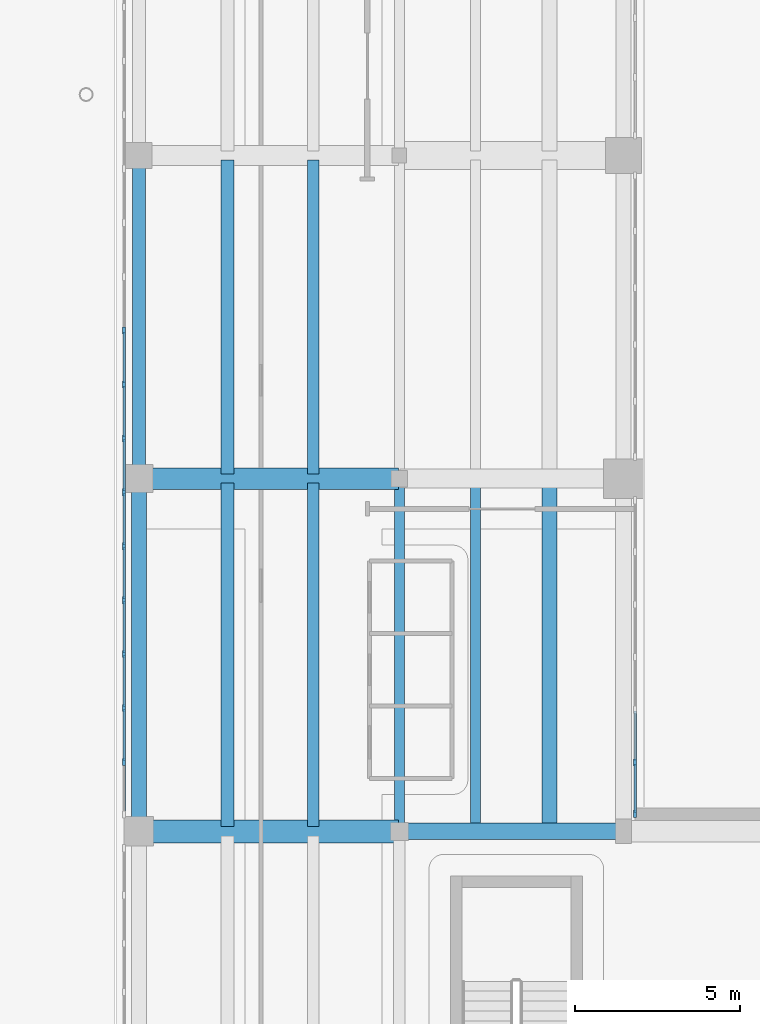
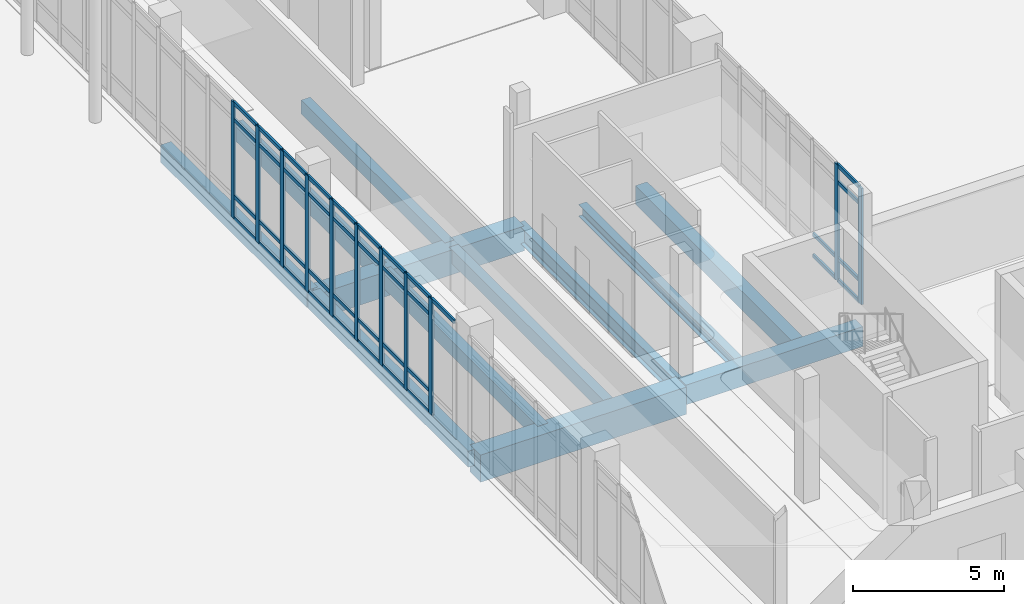
# One storey, part 16 of 74: 50 members, 12 beams, 2 elements without a shape of their own.
"""IFC4 building model written with IfcOpenShell, lengths in metres."""

from ifc_helpers import new_model, si_unit, direction, frame, origin, origin_2d, place, context, subcontext, project, spatial, rectangle, i_section, extrude, material, material_profile, profile_set, type_object, element, aggregate, save


model = new_model("IFC4")

# Units and contexts
model_context = context("Model", 3, precision=1e-05, world=origin(), true_north=direction((0.0, 1.0)))
body_context = subcontext(model_context, "Body", "Model", "MODEL_VIEW")
ifc_project = project(units=[si_unit("LENGTHUNIT", "METRE"), si_unit("AREAUNIT", "SQUARE_METRE"), si_unit("VOLUMEUNIT", "CUBIC_METRE"), si_unit("PLANEANGLEUNIT", "RADIAN"), si_unit("MASSUNIT", "GRAM", prefix="KILO")], contexts=[model_context])

# Site, building, storey
site_placement = place(None, origin())
site = spatial("IfcSite", under=ifc_project, at=site_placement, CompositionType="ELEMENT")
building_placement = place(site_placement, origin())
building = spatial("IfcBuilding", under=site, at=building_placement, Name="Soyqirgoq Riverine Aquarium", CompositionType="ELEMENT")
storey_placement = place(building_placement, origin())
storey = spatial("IfcBuildingStorey", under=building, at=storey_placement, Name="L01", CompositionType="ELEMENT", Elevation=0.0)

# Beams
ifc_material_1 = material(Name="Concrete C40/50", Category="concrete")
ifc_material_profile_1 = material_profile(ifc_material_1, rectangle(XDim=0.39990234375, YDim=0.60009765625, at=origin_2d()), Name="RC 400x600")
ifc_profile_set_1 = profile_set([ifc_material_profile_1], Name="Concrete C40/50")
beam_type_1 = type_object("IfcBeamType", Name="Beam_RC_400x600", PredefinedType="JOIST", material=ifc_profile_set_1)
beam_1_placement = place(storey_placement, frame((117.385986328125, 17.93994140625, -0.64990234375), z_axis=(0.0, 1.0, 0.0), x_axis=(-1.0, 0.0, 0.0)))
element("IfcBeam", 1, at=beam_1_placement, inside=storey, type_object=beam_type_1, Name="V6 L01 Secondary Bay Joist 1070", PredefinedType="JOIST", context=body_context, shape_type="SweptSolid", body=[
    extrude(rectangle(XDim=0.39990234375, YDim=0.60009765625, at=origin_2d()), origin(), (0.0, 0.0, 1.0), 10.420166015625),
])
beam_2_placement = place(storey_placement, frame((117.385986328125, 28.639892578125, -0.64990234375), z_axis=(0.0, 1.0, 0.0), x_axis=(-1.0, 0.0, 0.0)))
element("IfcBeam", 2, at=beam_2_placement, inside=storey, type_object=beam_type_1, Name="V6 L01 Secondary Bay Joist 1074", PredefinedType="JOIST", context=body_context, shape_type="SweptSolid", body=[
    extrude(rectangle(XDim=0.39990234375, YDim=0.60009765625, at=origin_2d()), origin(), (0.0, 0.0, 1.0), 9.52001953125),
])
ifc_material_2 = material(Name="Concrete C40/50", Category="concrete")
ifc_material_profile_2 = material_profile(ifc_material_2, rectangle(XDim=0.39990234375, YDim=0.699951171875, at=origin_2d()), Name="RC 400x700")
ifc_profile_set_2 = profile_set([ifc_material_profile_2], Name="Concrete C40/50")
beam_type_2 = type_object("IfcBeamType", Name="Beam_RC_400x700", PredefinedType="BEAM", material=ifc_profile_set_2)
beam_3_placement = place(storey_placement, frame((114.699951171875, 28.550048828125, -0.699951171875), z_axis=(0.0, 1.0, 0.0), x_axis=(-1.0, 0.0, 0.0)))
element("IfcBeam", 3, at=beam_3_placement, inside=storey, type_object=beam_type_2, Name="V6 L01 North-South Frame Beam 1012", PredefinedType="BEAM", context=body_context, shape_type="SweptSolid", body=[
    extrude(rectangle(XDim=0.39990234375, YDim=0.699951171875, at=origin_2d()), origin(), (0.0, 0.0, 1.0), 9.699951171875),
])
ifc_material_3 = material(Name="Concrete C40/50", Category="concrete")
ifc_material_profile_3 = material_profile(ifc_material_3, rectangle(XDim=0.449951171875, YDim=0.64990234375, at=origin_2d()), Name="RC 450x650")
ifc_profile_set_3 = profile_set([ifc_material_profile_3], Name="Concrete C40/50")
beam_type_3 = type_object("IfcBeamType", Name="Beam_RC_450x650", PredefinedType="BEAM", material=ifc_profile_set_3)
beam_4_placement = place(storey_placement, frame((114.699951171875, 17.85009765625, -0.675048828125), z_axis=(0.0, 1.0, 0.0), x_axis=(-1.0, 0.0, 0.0)))
element("IfcBeam", 4, at=beam_4_placement, inside=storey, type_object=beam_type_3, Name="V6 L01 North-South Frame Beam 1010", PredefinedType="BEAM", context=body_context, shape_type="SweptSolid", body=[
    extrude(rectangle(XDim=0.449951171875, YDim=0.64990234375, at=origin_2d()), origin(), (0.0, 0.0, 1.0), 10.599853515625),
])
ifc_material_4 = material(Name="Concrete C40/50", Category="concrete")
ifc_material_profile_4 = material_profile(ifc_material_4, rectangle(XDim=0.449951171875, YDim=0.75, at=origin_2d()), Name="RC 450x750")
ifc_profile_set_4 = profile_set([ifc_material_profile_4], Name="Concrete C40/50")
beam_type_4 = type_object("IfcBeamType", Name="Beam_RC_450x750", PredefinedType="BEAM", material=ifc_profile_set_4)
beam_5_placement = place(storey_placement, frame((127.156005859375, 17.93994140625, -0.72509765625), z_axis=(0.0, 1.0, 0.0), x_axis=(-1.0, 0.0, 0.0)))
element("IfcBeam", 5, at=beam_5_placement, inside=storey, type_object=beam_type_4, Name="V6 L01 Secondary Bay Joist 1073", PredefinedType="BEAM", context=body_context, shape_type="SweptSolid", body=[
    extrude(rectangle(XDim=0.449951171875, YDim=0.75, at=origin_2d()), origin(), (0.0, 0.0, 1.0), 10.420166015625),
])

# Curtain wall, members
ifc_material_5 = material(Name="Structural silicone glazed entrance curtain wall", Category="aluminium")
curtain_wall_type = type_object("IfcCurtainWallType", Name="CW_Portal_Entrance", PredefinedType="NOTDEFINED", material=ifc_material_5)
curtain_wall_1_placement = place(storey_placement, origin())
curtain_wall_1 = element("IfcCurtainWall", 6, at=curtain_wall_1_placement, inside=storey, type_object=curtain_wall_type, Name="V6 L01 Curtain Wall 106", PredefinedType="NOTDEFINED")
ifc_material_6 = material(Name="Anodised aluminium 6063-T6", Category="aluminium")
ifc_material_profile_5 = material_profile(ifc_material_6, rectangle(XDim=0.080078125, YDim=0.219970703125, at=origin_2d()), Name="ALU-M 80x220")
ifc_profile_set_5 = profile_set([ifc_material_profile_5], Name="Anodised aluminium 6063-T6")
member_type_1 = type_object("IfcMemberType", Name="CWMullion_80x220", PredefinedType="MULLION", material=ifc_profile_set_5)
member_1_placement = place(storey_placement, frame((114.25, 19.905517578125, 0.0), z_axis=(0.0, 0.0, 1.0), x_axis=(-1.0, 0.0, 0.0)))
member_1 = element("IfcMember", 7, at=member_1_placement, type_object=member_type_1, Name="CW-04 mullion 2", PredefinedType="MULLION", context=body_context, shape_type="SweptSolid", body=[
    extrude(rectangle(XDim=0.080078125, YDim=0.219970703125, at=origin_2d()), origin(), (0.0, 0.0, 1.0), 4.699951171875),
])
member_2_placement = place(storey_placement, frame((114.25, 21.541015625, 0.0), z_axis=(0.0, 0.0, 1.0), x_axis=(-1.0, 0.0, 0.0)))
member_2 = element("IfcMember", 8, at=member_2_placement, type_object=member_type_1, Name="CW-04 mullion 3", PredefinedType="MULLION", context=body_context, shape_type="SweptSolid", body=[
    extrude(rectangle(XDim=0.080078125, YDim=0.219970703125, at=origin_2d()), origin(), (0.0, 0.0, 1.0), 4.699951171875),
])
member_3_placement = place(storey_placement, frame((114.25, 23.1767578125, 0.0), z_axis=(0.0, 0.0, 1.0), x_axis=(-1.0, 0.0, 0.0)))
member_3 = element("IfcMember", 9, at=member_3_placement, type_object=member_type_1, Name="CW-04 mullion 4", PredefinedType="MULLION", context=body_context, shape_type="SweptSolid", body=[
    extrude(rectangle(XDim=0.080078125, YDim=0.219970703125, at=origin_2d()), origin(), (0.0, 0.0, 1.0), 4.699951171875),
])
member_4_placement = place(storey_placement, frame((114.25, 24.812255859375, 0.0), z_axis=(0.0, 0.0, 1.0), x_axis=(-1.0, 0.0, 0.0)))
member_4 = element("IfcMember", 10, at=member_4_placement, type_object=member_type_1, Name="CW-04 mullion 5", PredefinedType="MULLION", context=body_context, shape_type="SweptSolid", body=[
    extrude(rectangle(XDim=0.080078125, YDim=0.219970703125, at=origin_2d()), origin(), (0.0, 0.0, 1.0), 4.699951171875),
])
member_5_placement = place(storey_placement, frame((114.25, 26.44775390625, 0.0), z_axis=(0.0, 0.0, 1.0), x_axis=(-1.0, 0.0, 0.0)))
member_5 = element("IfcMember", 11, at=member_5_placement, type_object=member_type_1, Name="CW-04 mullion 6", PredefinedType="MULLION", context=body_context, shape_type="SweptSolid", body=[
    extrude(rectangle(XDim=0.080078125, YDim=0.219970703125, at=origin_2d()), origin(), (0.0, 0.0, 1.0), 4.699951171875),
])
member_6_placement = place(storey_placement, frame((114.25, 28.083251953125, 0.0), z_axis=(0.0, 0.0, 1.0), x_axis=(-1.0, 0.0, 0.0)))
member_6 = element("IfcMember", 12, at=member_6_placement, type_object=member_type_1, Name="CW-04 mullion 7", PredefinedType="MULLION", context=body_context, shape_type="SweptSolid", body=[
    extrude(rectangle(XDim=0.080078125, YDim=0.219970703125, at=origin_2d()), origin(), (0.0, 0.0, 1.0), 4.699951171875),
])
member_7_placement = place(storey_placement, frame((114.25, 29.718994140625, 0.0), z_axis=(0.0, 0.0, 1.0), x_axis=(-1.0, 0.0, 0.0)))
member_7 = element("IfcMember", 13, at=member_7_placement, type_object=member_type_1, Name="CW-04 mullion 8", PredefinedType="MULLION", context=body_context, shape_type="SweptSolid", body=[
    extrude(rectangle(XDim=0.080078125, YDim=0.219970703125, at=origin_2d()), origin(), (0.0, 0.0, 1.0), 4.699951171875),
])
member_8_placement = place(storey_placement, frame((114.25, 31.3544921875, 0.0), z_axis=(0.0, 0.0, 1.0), x_axis=(-1.0, 0.0, 0.0)))
member_8 = element("IfcMember", 14, at=member_8_placement, type_object=member_type_1, Name="CW-04 mullion 9", PredefinedType="MULLION", context=body_context, shape_type="SweptSolid", body=[
    extrude(rectangle(XDim=0.080078125, YDim=0.219970703125, at=origin_2d()), origin(), (0.0, 0.0, 1.0), 4.699951171875),
])
member_9_placement = place(storey_placement, frame((114.25, 32.989990234375, 0.0), z_axis=(0.0, 0.0, 1.0), x_axis=(-1.0, 0.0, 0.0)))
member_9 = element("IfcMember", 15, at=member_9_placement, type_object=member_type_1, Name="CW-04 mullion 10", PredefinedType="MULLION", context=body_context, shape_type="SweptSolid", body=[
    extrude(rectangle(XDim=0.080078125, YDim=0.219970703125, at=origin_2d()), origin(), (0.0, 0.0, 1.0), 4.699951171875),
])

curtain_wall_2_placement = place(storey_placement, origin())
curtain_wall_2 = element("IfcCurtainWall", 16, at=curtain_wall_2_placement, inside=storey, type_object=curtain_wall_type, Name="V6 L01 Curtain Wall 110", PredefinedType="NOTDEFINED")
member_10_placement = place(storey_placement, frame((129.75, 19.888427734375, 0.0), z_axis=(0.0, 0.0, 1.0), x_axis=(1.0, 0.0, 0.0)))
member_10 = element("IfcMember", 17, at=member_10_placement, type_object=member_type_1, Name="CW-04 mullion 6", PredefinedType="MULLION", context=body_context, shape_type="SweptSolid", body=[
    extrude(rectangle(XDim=0.080078125, YDim=0.219970703125, at=origin_2d()), origin(), (0.0, 0.0, 1.0), 4.699951171875),
])
member_11_placement = place(storey_placement, frame((129.75, 18.330078125, 0.0), z_axis=(0.0, 0.0, 1.0), x_axis=(1.0, 0.0, 0.0)))
member_11 = element("IfcMember", 18, at=member_11_placement, type_object=member_type_1, Name="CW-04 mullion 7", PredefinedType="MULLION", context=body_context, shape_type="SweptSolid", body=[
    extrude(rectangle(XDim=0.080078125, YDim=0.219970703125, at=origin_2d()), origin(), (0.0, 0.0, 1.0), 4.699951171875),
])

# Member
ifc_material_7 = material(Name="Anodised aluminium 6063-T6", Category="aluminium")
ifc_material_profile_6 = material_profile(ifc_material_7, rectangle(XDim=0.074951171875, YDim=0.14990234375, at=origin_2d()), Name="ALU-T 75x150")
ifc_profile_set_6 = profile_set([ifc_material_profile_6], Name="Anodised aluminium 6063-T6")
member_type_2 = type_object("IfcMemberType", Name="CWTransom_75x150", PredefinedType="USERDEFINED", material=ifc_profile_set_6)
member_12_placement = place(storey_placement, frame((114.25, 18.35009765625, 4.66259765625), z_axis=(0.0, 1.0, 0.0), x_axis=(-1.0, 0.0, 0.0)))
member_12 = element("IfcMember", 19, at=member_12_placement, type_object=member_type_2, Name="CW-04 transom 1.4", ObjectType="TRANSOM", PredefinedType="USERDEFINED", context=body_context, shape_type="SweptSolid", body=[
    extrude(rectangle(XDim=0.074951171875, YDim=0.14990234375, at=origin_2d()), origin(), (0.0, 0.0, 1.0), 1.515380859375),
])

member_13_placement = place(storey_placement, frame((114.25, 19.945556640625, 0.03759765625), z_axis=(0.0, 1.0, 0.0), x_axis=(-1.0, 0.0, 0.0)))
member_13 = element("IfcMember", 20, at=member_13_placement, type_object=member_type_2, Name="CW-04 transom 2.1", ObjectType="TRANSOM", PredefinedType="USERDEFINED", context=body_context, shape_type="SweptSolid", body=[
    extrude(rectangle(XDim=0.074951171875, YDim=0.14990234375, at=origin_2d()), origin(), (0.0, 0.0, 1.0), 1.5556640625),
])

member_14_placement = place(storey_placement, frame((114.25, 19.945556640625, 0.89990234375), z_axis=(0.0, 1.0, 0.0), x_axis=(-1.0, 0.0, 0.0)))
member_14 = element("IfcMember", 21, at=member_14_placement, type_object=member_type_2, Name="CW-04 transom 2.2", ObjectType="TRANSOM", PredefinedType="USERDEFINED", context=body_context, shape_type="SweptSolid", body=[
    extrude(rectangle(XDim=0.074951171875, YDim=0.14990234375, at=origin_2d()), origin(), (0.0, 0.0, 1.0), 1.5556640625),
])

member_15_placement = place(storey_placement, frame((114.25, 19.945556640625, 4.0), z_axis=(0.0, 1.0, 0.0), x_axis=(-1.0, 0.0, 0.0)))
member_15 = element("IfcMember", 22, at=member_15_placement, type_object=member_type_2, Name="CW-04 transom 2.3", ObjectType="TRANSOM", PredefinedType="USERDEFINED", context=body_context, shape_type="SweptSolid", body=[
    extrude(rectangle(XDim=0.074951171875, YDim=0.14990234375, at=origin_2d()), origin(), (0.0, 0.0, 1.0), 1.5556640625),
])

member_16_placement = place(storey_placement, frame((114.25, 19.945556640625, 4.66259765625), z_axis=(0.0, 1.0, 0.0), x_axis=(-1.0, 0.0, 0.0)))
member_16 = element("IfcMember", 23, at=member_16_placement, type_object=member_type_2, Name="CW-04 transom 2.4", ObjectType="TRANSOM", PredefinedType="USERDEFINED", context=body_context, shape_type="SweptSolid", body=[
    extrude(rectangle(XDim=0.074951171875, YDim=0.14990234375, at=origin_2d()), origin(), (0.0, 0.0, 1.0), 1.5556640625),
])

member_17_placement = place(storey_placement, frame((114.25, 21.5810546875, 0.03759765625), z_axis=(0.0, 1.0, 0.0), x_axis=(-1.0, 0.0, 0.0)))
member_17 = element("IfcMember", 24, at=member_17_placement, type_object=member_type_2, Name="CW-04 transom 3.1", ObjectType="TRANSOM", PredefinedType="USERDEFINED", context=body_context, shape_type="SweptSolid", body=[
    extrude(rectangle(XDim=0.074951171875, YDim=0.14990234375, at=origin_2d()), origin(), (0.0, 0.0, 1.0), 1.5556640625),
])

member_18_placement = place(storey_placement, frame((114.25, 21.5810546875, 0.89990234375), z_axis=(0.0, 1.0, 0.0), x_axis=(-1.0, 0.0, 0.0)))
member_18 = element("IfcMember", 25, at=member_18_placement, type_object=member_type_2, Name="CW-04 transom 3.2", ObjectType="TRANSOM", PredefinedType="USERDEFINED", context=body_context, shape_type="SweptSolid", body=[
    extrude(rectangle(XDim=0.074951171875, YDim=0.14990234375, at=origin_2d()), origin(), (0.0, 0.0, 1.0), 1.5556640625),
])

member_19_placement = place(storey_placement, frame((114.25, 21.5810546875, 4.0), z_axis=(0.0, 1.0, 0.0), x_axis=(-1.0, 0.0, 0.0)))
member_19 = element("IfcMember", 26, at=member_19_placement, type_object=member_type_2, Name="CW-04 transom 3.3", ObjectType="TRANSOM", PredefinedType="USERDEFINED", context=body_context, shape_type="SweptSolid", body=[
    extrude(rectangle(XDim=0.074951171875, YDim=0.14990234375, at=origin_2d()), origin(), (0.0, 0.0, 1.0), 1.5556640625),
])

member_20_placement = place(storey_placement, frame((114.25, 21.5810546875, 4.66259765625), z_axis=(0.0, 1.0, 0.0), x_axis=(-1.0, 0.0, 0.0)))
member_20 = element("IfcMember", 27, at=member_20_placement, type_object=member_type_2, Name="CW-04 transom 3.4", ObjectType="TRANSOM", PredefinedType="USERDEFINED", context=body_context, shape_type="SweptSolid", body=[
    extrude(rectangle(XDim=0.074951171875, YDim=0.14990234375, at=origin_2d()), origin(), (0.0, 0.0, 1.0), 1.5556640625),
])

member_21_placement = place(storey_placement, frame((114.25, 23.216552734375, 0.03759765625), z_axis=(0.0, 1.0, 0.0), x_axis=(-1.0, 0.0, 0.0)))
member_21 = element("IfcMember", 28, at=member_21_placement, type_object=member_type_2, Name="CW-04 transom 4.1", ObjectType="TRANSOM", PredefinedType="USERDEFINED", context=body_context, shape_type="SweptSolid", body=[
    extrude(rectangle(XDim=0.074951171875, YDim=0.14990234375, at=origin_2d()), origin(), (0.0, 0.0, 1.0), 1.5556640625),
])

member_22_placement = place(storey_placement, frame((114.25, 23.216552734375, 0.89990234375), z_axis=(0.0, 1.0, 0.0), x_axis=(-1.0, 0.0, 0.0)))
member_22 = element("IfcMember", 29, at=member_22_placement, type_object=member_type_2, Name="CW-04 transom 4.2", ObjectType="TRANSOM", PredefinedType="USERDEFINED", context=body_context, shape_type="SweptSolid", body=[
    extrude(rectangle(XDim=0.074951171875, YDim=0.14990234375, at=origin_2d()), origin(), (0.0, 0.0, 1.0), 1.5556640625),
])

member_23_placement = place(storey_placement, frame((114.25, 23.216552734375, 4.0), z_axis=(0.0, 1.0, 0.0), x_axis=(-1.0, 0.0, 0.0)))
member_23 = element("IfcMember", 30, at=member_23_placement, type_object=member_type_2, Name="CW-04 transom 4.3", ObjectType="TRANSOM", PredefinedType="USERDEFINED", context=body_context, shape_type="SweptSolid", body=[
    extrude(rectangle(XDim=0.074951171875, YDim=0.14990234375, at=origin_2d()), origin(), (0.0, 0.0, 1.0), 1.5556640625),
])

member_24_placement = place(storey_placement, frame((114.25, 23.216552734375, 4.66259765625), z_axis=(0.0, 1.0, 0.0), x_axis=(-1.0, 0.0, 0.0)))
member_24 = element("IfcMember", 31, at=member_24_placement, type_object=member_type_2, Name="CW-04 transom 4.4", ObjectType="TRANSOM", PredefinedType="USERDEFINED", context=body_context, shape_type="SweptSolid", body=[
    extrude(rectangle(XDim=0.074951171875, YDim=0.14990234375, at=origin_2d()), origin(), (0.0, 0.0, 1.0), 1.5556640625),
])

member_25_placement = place(storey_placement, frame((114.25, 24.852294921875, 0.03759765625), z_axis=(0.0, 1.0, 0.0), x_axis=(-1.0, 0.0, 0.0)))
member_25 = element("IfcMember", 32, at=member_25_placement, type_object=member_type_2, Name="CW-04 transom 5.1", ObjectType="TRANSOM", PredefinedType="USERDEFINED", context=body_context, shape_type="SweptSolid", body=[
    extrude(rectangle(XDim=0.074951171875, YDim=0.14990234375, at=origin_2d()), origin(), (0.0, 0.0, 1.0), 1.555419921875),
])

member_26_placement = place(storey_placement, frame((114.25, 24.852294921875, 0.89990234375), z_axis=(0.0, 1.0, 0.0), x_axis=(-1.0, 0.0, 0.0)))
member_26 = element("IfcMember", 33, at=member_26_placement, type_object=member_type_2, Name="CW-04 transom 5.2", ObjectType="TRANSOM", PredefinedType="USERDEFINED", context=body_context, shape_type="SweptSolid", body=[
    extrude(rectangle(XDim=0.074951171875, YDim=0.14990234375, at=origin_2d()), origin(), (0.0, 0.0, 1.0), 1.555419921875),
])

member_27_placement = place(storey_placement, frame((114.25, 24.852294921875, 4.0), z_axis=(0.0, 1.0, 0.0), x_axis=(-1.0, 0.0, 0.0)))
member_27 = element("IfcMember", 34, at=member_27_placement, type_object=member_type_2, Name="CW-04 transom 5.3", ObjectType="TRANSOM", PredefinedType="USERDEFINED", context=body_context, shape_type="SweptSolid", body=[
    extrude(rectangle(XDim=0.074951171875, YDim=0.14990234375, at=origin_2d()), origin(), (0.0, 0.0, 1.0), 1.555419921875),
])

member_28_placement = place(storey_placement, frame((114.25, 24.852294921875, 4.66259765625), z_axis=(0.0, 1.0, 0.0), x_axis=(-1.0, 0.0, 0.0)))
member_28 = element("IfcMember", 35, at=member_28_placement, type_object=member_type_2, Name="CW-04 transom 5.4", ObjectType="TRANSOM", PredefinedType="USERDEFINED", context=body_context, shape_type="SweptSolid", body=[
    extrude(rectangle(XDim=0.074951171875, YDim=0.14990234375, at=origin_2d()), origin(), (0.0, 0.0, 1.0), 1.555419921875),
])

member_29_placement = place(storey_placement, frame((114.25, 26.48779296875, 0.03759765625), z_axis=(0.0, 1.0, 0.0), x_axis=(-1.0, 0.0, 0.0)))
member_29 = element("IfcMember", 36, at=member_29_placement, type_object=member_type_2, Name="CW-04 transom 6.1", ObjectType="TRANSOM", PredefinedType="USERDEFINED", context=body_context, shape_type="SweptSolid", body=[
    extrude(rectangle(XDim=0.074951171875, YDim=0.14990234375, at=origin_2d()), origin(), (0.0, 0.0, 1.0), 1.555419921875),
])

member_30_placement = place(storey_placement, frame((114.25, 26.48779296875, 0.89990234375), z_axis=(0.0, 1.0, 0.0), x_axis=(-1.0, 0.0, 0.0)))
member_30 = element("IfcMember", 37, at=member_30_placement, type_object=member_type_2, Name="CW-04 transom 6.2", ObjectType="TRANSOM", PredefinedType="USERDEFINED", context=body_context, shape_type="SweptSolid", body=[
    extrude(rectangle(XDim=0.074951171875, YDim=0.14990234375, at=origin_2d()), origin(), (0.0, 0.0, 1.0), 1.555419921875),
])

member_31_placement = place(storey_placement, frame((114.25, 26.48779296875, 4.0), z_axis=(0.0, 1.0, 0.0), x_axis=(-1.0, 0.0, 0.0)))
member_31 = element("IfcMember", 38, at=member_31_placement, type_object=member_type_2, Name="CW-04 transom 6.3", ObjectType="TRANSOM", PredefinedType="USERDEFINED", context=body_context, shape_type="SweptSolid", body=[
    extrude(rectangle(XDim=0.074951171875, YDim=0.14990234375, at=origin_2d()), origin(), (0.0, 0.0, 1.0), 1.555419921875),
])

member_32_placement = place(storey_placement, frame((114.25, 26.48779296875, 4.66259765625), z_axis=(0.0, 1.0, 0.0), x_axis=(-1.0, 0.0, 0.0)))
member_32 = element("IfcMember", 39, at=member_32_placement, type_object=member_type_2, Name="CW-04 transom 6.4", ObjectType="TRANSOM", PredefinedType="USERDEFINED", context=body_context, shape_type="SweptSolid", body=[
    extrude(rectangle(XDim=0.074951171875, YDim=0.14990234375, at=origin_2d()), origin(), (0.0, 0.0, 1.0), 1.555419921875),
])

member_33_placement = place(storey_placement, frame((114.25, 28.123291015625, 0.03759765625), z_axis=(0.0, 1.0, 0.0), x_axis=(-1.0, 0.0, 0.0)))
member_33 = element("IfcMember", 40, at=member_33_placement, type_object=member_type_2, Name="CW-04 transom 7.1", ObjectType="TRANSOM", PredefinedType="USERDEFINED", context=body_context, shape_type="SweptSolid", body=[
    extrude(rectangle(XDim=0.074951171875, YDim=0.14990234375, at=origin_2d()), origin(), (0.0, 0.0, 1.0), 1.5556640625),
])

member_34_placement = place(storey_placement, frame((114.25, 28.123291015625, 0.89990234375), z_axis=(0.0, 1.0, 0.0), x_axis=(-1.0, 0.0, 0.0)))
member_34 = element("IfcMember", 41, at=member_34_placement, type_object=member_type_2, Name="CW-04 transom 7.2", ObjectType="TRANSOM", PredefinedType="USERDEFINED", context=body_context, shape_type="SweptSolid", body=[
    extrude(rectangle(XDim=0.074951171875, YDim=0.14990234375, at=origin_2d()), origin(), (0.0, 0.0, 1.0), 1.5556640625),
])

member_35_placement = place(storey_placement, frame((114.25, 28.123291015625, 4.0), z_axis=(0.0, 1.0, 0.0), x_axis=(-1.0, 0.0, 0.0)))
member_35 = element("IfcMember", 42, at=member_35_placement, type_object=member_type_2, Name="CW-04 transom 7.3", ObjectType="TRANSOM", PredefinedType="USERDEFINED", context=body_context, shape_type="SweptSolid", body=[
    extrude(rectangle(XDim=0.074951171875, YDim=0.14990234375, at=origin_2d()), origin(), (0.0, 0.0, 1.0), 1.5556640625),
])

member_36_placement = place(storey_placement, frame((114.25, 28.123291015625, 4.66259765625), z_axis=(0.0, 1.0, 0.0), x_axis=(-1.0, 0.0, 0.0)))
member_36 = element("IfcMember", 43, at=member_36_placement, type_object=member_type_2, Name="CW-04 transom 7.4", ObjectType="TRANSOM", PredefinedType="USERDEFINED", context=body_context, shape_type="SweptSolid", body=[
    extrude(rectangle(XDim=0.074951171875, YDim=0.14990234375, at=origin_2d()), origin(), (0.0, 0.0, 1.0), 1.5556640625),
])

member_37_placement = place(storey_placement, frame((114.25, 29.7587890625, 0.03759765625), z_axis=(0.0, 1.0, 0.0), x_axis=(-1.0, 0.0, 0.0)))
member_37 = element("IfcMember", 44, at=member_37_placement, type_object=member_type_2, Name="CW-04 transom 8.1", ObjectType="TRANSOM", PredefinedType="USERDEFINED", context=body_context, shape_type="SweptSolid", body=[
    extrude(rectangle(XDim=0.074951171875, YDim=0.14990234375, at=origin_2d()), origin(), (0.0, 0.0, 1.0), 1.5556640625),
])

member_38_placement = place(storey_placement, frame((114.25, 29.7587890625, 0.89990234375), z_axis=(0.0, 1.0, 0.0), x_axis=(-1.0, 0.0, 0.0)))
member_38 = element("IfcMember", 45, at=member_38_placement, type_object=member_type_2, Name="CW-04 transom 8.2", ObjectType="TRANSOM", PredefinedType="USERDEFINED", context=body_context, shape_type="SweptSolid", body=[
    extrude(rectangle(XDim=0.074951171875, YDim=0.14990234375, at=origin_2d()), origin(), (0.0, 0.0, 1.0), 1.5556640625),
])

member_39_placement = place(storey_placement, frame((114.25, 29.7587890625, 4.0), z_axis=(0.0, 1.0, 0.0), x_axis=(-1.0, 0.0, 0.0)))
member_39 = element("IfcMember", 46, at=member_39_placement, type_object=member_type_2, Name="CW-04 transom 8.3", ObjectType="TRANSOM", PredefinedType="USERDEFINED", context=body_context, shape_type="SweptSolid", body=[
    extrude(rectangle(XDim=0.074951171875, YDim=0.14990234375, at=origin_2d()), origin(), (0.0, 0.0, 1.0), 1.5556640625),
])

member_40_placement = place(storey_placement, frame((114.25, 29.7587890625, 4.66259765625), z_axis=(0.0, 1.0, 0.0), x_axis=(-1.0, 0.0, 0.0)))
member_40 = element("IfcMember", 47, at=member_40_placement, type_object=member_type_2, Name="CW-04 transom 8.4", ObjectType="TRANSOM", PredefinedType="USERDEFINED", context=body_context, shape_type="SweptSolid", body=[
    extrude(rectangle(XDim=0.074951171875, YDim=0.14990234375, at=origin_2d()), origin(), (0.0, 0.0, 1.0), 1.5556640625),
])

member_41_placement = place(storey_placement, frame((114.25, 31.39453125, 0.03759765625), z_axis=(0.0, 1.0, 0.0), x_axis=(-1.0, 0.0, 0.0)))
member_41 = element("IfcMember", 48, at=member_41_placement, type_object=member_type_2, Name="CW-04 transom 9.1", ObjectType="TRANSOM", PredefinedType="USERDEFINED", context=body_context, shape_type="SweptSolid", body=[
    extrude(rectangle(XDim=0.074951171875, YDim=0.14990234375, at=origin_2d()), origin(), (0.0, 0.0, 1.0), 1.555419921875),
])

member_42_placement = place(storey_placement, frame((114.25, 31.39453125, 0.89990234375), z_axis=(0.0, 1.0, 0.0), x_axis=(-1.0, 0.0, 0.0)))
member_42 = element("IfcMember", 49, at=member_42_placement, type_object=member_type_2, Name="CW-04 transom 9.2", ObjectType="TRANSOM", PredefinedType="USERDEFINED", context=body_context, shape_type="SweptSolid", body=[
    extrude(rectangle(XDim=0.074951171875, YDim=0.14990234375, at=origin_2d()), origin(), (0.0, 0.0, 1.0), 1.555419921875),
])

member_43_placement = place(storey_placement, frame((114.25, 31.39453125, 4.0), z_axis=(0.0, 1.0, 0.0), x_axis=(-1.0, 0.0, 0.0)))
member_43 = element("IfcMember", 50, at=member_43_placement, type_object=member_type_2, Name="CW-04 transom 9.3", ObjectType="TRANSOM", PredefinedType="USERDEFINED", context=body_context, shape_type="SweptSolid", body=[
    extrude(rectangle(XDim=0.074951171875, YDim=0.14990234375, at=origin_2d()), origin(), (0.0, 0.0, 1.0), 1.555419921875),
])

member_44_placement = place(storey_placement, frame((114.25, 31.39453125, 4.66259765625), z_axis=(0.0, 1.0, 0.0), x_axis=(-1.0, 0.0, 0.0)))
member_44 = element("IfcMember", 51, at=member_44_placement, type_object=member_type_2, Name="CW-04 transom 9.4", ObjectType="TRANSOM", PredefinedType="USERDEFINED", context=body_context, shape_type="SweptSolid", body=[
    extrude(rectangle(XDim=0.074951171875, YDim=0.14990234375, at=origin_2d()), origin(), (0.0, 0.0, 1.0), 1.555419921875),
])

aggregate(curtain_wall_1, [member_1, member_2, member_3, member_4, member_5, member_6, member_7, member_8, member_9, member_12, member_13, member_14, member_15, member_16, member_17, member_18, member_19, member_20, member_21, member_22, member_23, member_24, member_25, member_26, member_27, member_28, member_29, member_30, member_31, member_32, member_33, member_34, member_35, member_36, member_37, member_38, member_39, member_40, member_41, member_42, member_43, member_44])

member_45_placement = place(storey_placement, frame((129.75, 21.44677734375, 0.03759765625), z_axis=(0.0, -1.0, 0.0), x_axis=(1.0, 0.0, 0.0)))
member_45 = element("IfcMember", 52, at=member_45_placement, type_object=member_type_2, Name="CW-04 transom 5.1", ObjectType="TRANSOM", PredefinedType="USERDEFINED", context=body_context, shape_type="SweptSolid", body=[
    extrude(rectangle(XDim=0.074951171875, YDim=0.14990234375, at=origin_2d()), origin(), (0.0, 0.0, 1.0), 1.5185546875),
])

member_46_placement = place(storey_placement, frame((129.75, 21.44677734375, 0.89990234375), z_axis=(0.0, -1.0, 0.0), x_axis=(1.0, 0.0, 0.0)))
member_46 = element("IfcMember", 53, at=member_46_placement, type_object=member_type_2, Name="CW-04 transom 5.2", ObjectType="TRANSOM", PredefinedType="USERDEFINED", context=body_context, shape_type="SweptSolid", body=[
    extrude(rectangle(XDim=0.074951171875, YDim=0.14990234375, at=origin_2d()), origin(), (0.0, 0.0, 1.0), 1.5185546875),
])

member_47_placement = place(storey_placement, frame((129.75, 19.848388671875, 0.03759765625), z_axis=(0.0, -1.0, 0.0), x_axis=(1.0, 0.0, 0.0)))
member_47 = element("IfcMember", 54, at=member_47_placement, type_object=member_type_2, Name="CW-04 transom 6.1", ObjectType="TRANSOM", PredefinedType="USERDEFINED", context=body_context, shape_type="SweptSolid", body=[
    extrude(rectangle(XDim=0.074951171875, YDim=0.14990234375, at=origin_2d()), origin(), (0.0, 0.0, 1.0), 1.478271484375),
])

member_48_placement = place(storey_placement, frame((129.75, 19.848388671875, 0.89990234375), z_axis=(0.0, -1.0, 0.0), x_axis=(1.0, 0.0, 0.0)))
member_48 = element("IfcMember", 55, at=member_48_placement, type_object=member_type_2, Name="CW-04 transom 6.2", ObjectType="TRANSOM", PredefinedType="USERDEFINED", context=body_context, shape_type="SweptSolid", body=[
    extrude(rectangle(XDim=0.074951171875, YDim=0.14990234375, at=origin_2d()), origin(), (0.0, 0.0, 1.0), 1.478271484375),
])

member_49_placement = place(storey_placement, frame((129.75, 19.848388671875, 4.0), z_axis=(0.0, -1.0, 0.0), x_axis=(1.0, 0.0, 0.0)))
member_49 = element("IfcMember", 56, at=member_49_placement, type_object=member_type_2, Name="CW-04 transom 6.3", ObjectType="TRANSOM", PredefinedType="USERDEFINED", context=body_context, shape_type="SweptSolid", body=[
    extrude(rectangle(XDim=0.074951171875, YDim=0.14990234375, at=origin_2d()), origin(), (0.0, 0.0, 1.0), 1.478271484375),
])

member_50_placement = place(storey_placement, frame((129.75, 19.848388671875, 4.66259765625), z_axis=(0.0, -1.0, 0.0), x_axis=(1.0, 0.0, 0.0)))
member_50 = element("IfcMember", 57, at=member_50_placement, type_object=member_type_2, Name="CW-04 transom 6.4", ObjectType="TRANSOM", PredefinedType="USERDEFINED", context=body_context, shape_type="SweptSolid", body=[
    extrude(rectangle(XDim=0.074951171875, YDim=0.14990234375, at=origin_2d()), origin(), (0.0, 0.0, 1.0), 1.478271484375),
])

aggregate(curtain_wall_2, [member_10, member_11, member_45, member_46, member_47, member_48, member_49, member_50])

# Beams
ifc_material_8 = material(Name="Concrete C40/50", Category="concrete")
ifc_material_profile_7 = material_profile(ifc_material_8, rectangle(XDim=0.5, YDim=0.800048828125, at=origin_2d()), Name="RC 500x800")
ifc_profile_set_7 = profile_set([ifc_material_profile_7], Name="Concrete C40/50")
beam_type_5 = type_object("IfcBeamType", Name="Girder_RC_500x800", PredefinedType="BEAM", material=ifc_profile_set_7)
beam_6_placement = place(storey_placement, frame((122.6201171875, 17.800048828125, -0.75), z_axis=(1.0, 0.0, 0.0), x_axis=(0.0, 1.0, 0.0)))
element("IfcBeam", 58, at=beam_6_placement, inside=storey, type_object=beam_type_5, Name="V6 L01 East-West Frame Girder 1023", PredefinedType="BEAM", context=body_context, shape_type="SweptSolid", body=[
    extrude(rectangle(XDim=0.5, YDim=0.800048828125, at=origin_2d()), origin(), (0.0, 0.0, 1.0), 6.759765625),
])
ifc_material_9 = material(Name="Concrete C40/50", Category="concrete")
ifc_material_profile_8 = material_profile(ifc_material_9, rectangle(XDim=0.64990234375, YDim=1.0, at=origin_2d()), Name="RC 650x1000")
ifc_profile_set_8 = profile_set([ifc_material_profile_8], Name="Concrete C40/50")
beam_type_6 = type_object("IfcBeamType", Name="Girder_RC_650x1000", PredefinedType="BEAM", material=ifc_profile_set_8)
beam_7_placement = place(storey_placement, frame((114.719970703125, 28.5, -0.85009765625), z_axis=(1.0, 0.0, 0.0), x_axis=(0.0, 1.0, 0.0)))
element("IfcBeam", 59, at=beam_7_placement, inside=storey, type_object=beam_type_6, Name="V6 L01 East-West Frame Girder 1013", PredefinedType="BEAM", context=body_context, shape_type="SweptSolid", body=[
    extrude(rectangle(XDim=0.64990234375, YDim=1.0, at=origin_2d()), origin(), (0.0, 0.0, 1.0), 7.860107421875),
])
ifc_material_10 = material(Name="Concrete C40/50", Category="concrete")
ifc_material_profile_9 = material_profile(ifc_material_10, rectangle(XDim=0.699951171875, YDim=1.10009765625, at=origin_2d()), Name="RC 700x1100")
ifc_profile_set_9 = profile_set([ifc_material_profile_9], Name="Concrete C40/50")
beam_type_7 = type_object("IfcBeamType", Name="Girder_RC_700x1100", PredefinedType="BEAM", material=ifc_profile_set_9)
beam_8_placement = place(storey_placement, frame((114.719970703125, 17.800048828125, -0.89990234375), z_axis=(1.0, 0.0, 0.0), x_axis=(0.0, 1.0, 0.0)))
element("IfcBeam", 60, at=beam_8_placement, inside=storey, type_object=beam_type_7, Name="V6 L01 East-West Frame Girder 1011", PredefinedType="BEAM", context=body_context, shape_type="SweptSolid", body=[
    extrude(rectangle(XDim=0.699951171875, YDim=1.10009765625, at=origin_2d()), origin(), (0.0, 0.0, 1.0), 7.860107421875),
])
ifc_material_11 = material(Name="Structural steel S355", Category="steel")
ifc_material_profile_10 = material_profile(ifc_material_11, i_section(OverallWidth=0.300048828125, OverallDepth=0.489990234375, WebThickness=0.011962890625, FlangeThickness=0.02294921875, FilletRadius=0.027099609375, at=origin_2d()), Name="HEA 500")
ifc_profile_set_10 = profile_set([ifc_material_profile_10], Name="Structural steel S355")
beam_type_8 = type_object("IfcBeamType", Name="SteelBeam_HEA500", PredefinedType="BEAM", material=ifc_profile_set_10)
beam_9_placement = place(storey_placement, frame((124.912109375, 17.93994140625, -0.594970703125), z_axis=(0.0, 1.0, 0.0), x_axis=(-1.0, 0.0, 0.0)))
element("IfcBeam", 61, at=beam_9_placement, inside=storey, type_object=beam_type_8, Name="V6 L01 Secondary Bay Joist 1072", PredefinedType="BEAM", context=body_context, shape_type="SweptSolid", body=[
    extrude(i_section(OverallWidth=0.300048828125, OverallDepth=0.489990234375, WebThickness=0.011962890625, FlangeThickness=0.02294921875, FilletRadius=0.027099609375, at=origin_2d()), origin(), (0.0, 0.0, 1.0), 10.420166015625),
])
ifc_material_12 = material(Name="Structural steel S355", Category="steel")
ifc_material_profile_11 = material_profile(ifc_material_12, i_section(OverallWidth=0.300048828125, OverallDepth=0.68994140625, WebThickness=0.014404296875, FlangeThickness=0.027099609375, FilletRadius=0.027099609375, at=origin_2d()), Name="HEA 700")
ifc_profile_set_11 = profile_set([ifc_material_profile_11], Name="Structural steel S355")
beam_type_9 = type_object("IfcBeamType", Name="SteelBeam_HEA700", PredefinedType="BEAM", material=ifc_profile_set_11)
beam_10_placement = place(storey_placement, frame((122.60009765625, 17.85009765625, -0.695068359375), z_axis=(0.0, 1.0, 0.0), x_axis=(-1.0, 0.0, 0.0)))
element("IfcBeam", 62, at=beam_10_placement, inside=storey, type_object=beam_type_9, Name="V6 L01 North-South Frame Beam 1022", PredefinedType="BEAM", context=body_context, shape_type="SweptSolid", body=[
    extrude(i_section(OverallWidth=0.300048828125, OverallDepth=0.68994140625, WebThickness=0.014404296875, FlangeThickness=0.027099609375, FilletRadius=0.027099609375, at=origin_2d()), origin(), (0.0, 0.0, 1.0), 10.599853515625),
])
ifc_material_13 = material(Name="Concrete C40/50", Category="concrete")
ifc_material_profile_12 = material_profile(ifc_material_13, rectangle(XDim=0.35009765625, YDim=0.550048828125, at=origin_2d()), Name="RC 350x550")
ifc_profile_set_12 = profile_set([ifc_material_profile_12], Name="Concrete C40/50")
beam_type_10 = type_object("IfcBeamType", Name="TBeam_RC_350x550", PredefinedType="T_BEAM", material=ifc_profile_set_12)
beam_11_placement = place(storey_placement, frame((119.992919921875, 17.93994140625, -0.625), z_axis=(0.0, 1.0, 0.0), x_axis=(-1.0, 0.0, 0.0)))
element("IfcBeam", 63, at=beam_11_placement, inside=storey, type_object=beam_type_10, Name="V6 L01 Secondary Bay Joist 1071", PredefinedType="T_BEAM", context=body_context, shape_type="SweptSolid", body=[
    extrude(rectangle(XDim=0.35009765625, YDim=0.550048828125, at=origin_2d()), origin(), (0.0, 0.0, 1.0), 10.420166015625),
])
beam_12_placement = place(storey_placement, frame((119.992919921875, 28.639892578125, -0.625), z_axis=(0.0, 1.0, 0.0), x_axis=(-1.0, 0.0, 0.0)))
element("IfcBeam", 64, at=beam_12_placement, inside=storey, type_object=beam_type_10, Name="V6 L01 Secondary Bay Joist 1075", PredefinedType="T_BEAM", context=body_context, shape_type="SweptSolid", body=[
    extrude(rectangle(XDim=0.35009765625, YDim=0.550048828125, at=origin_2d()), origin(), (0.0, 0.0, 1.0), 9.52001953125),
])

save(model, "model.ifc")
